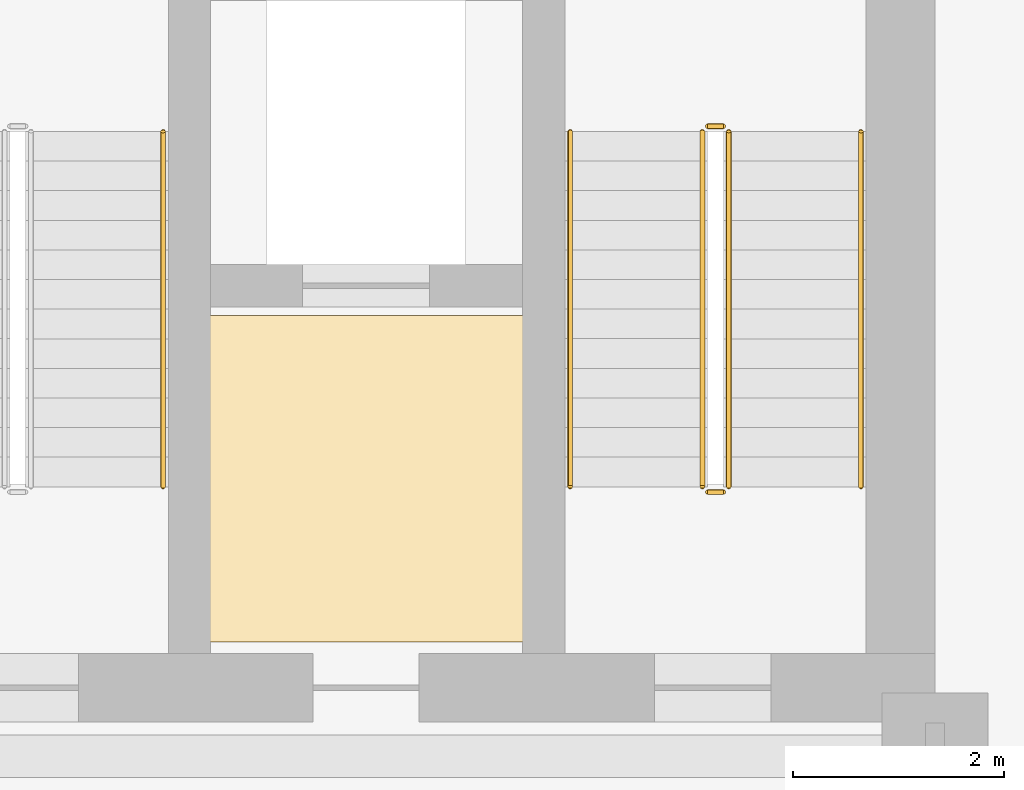
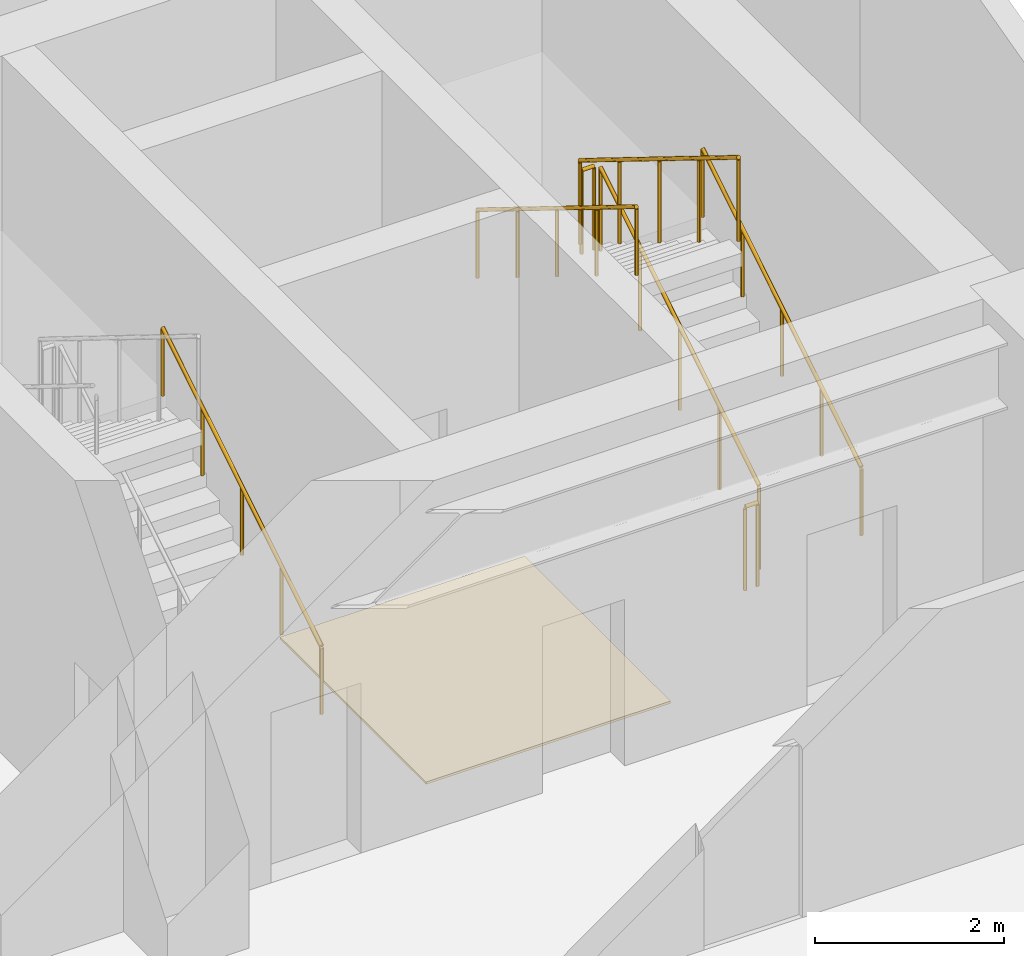
# One storey, part 8 of 8: 7 railings, 1 covering.
"""IFC4 building model written with IfcOpenShell, lengths in metres."""

from ifc_helpers import new_model, si_unit, direction, frame, origin, origin_2d, place, context, subcontext, project, spatial, polyline, circle, outline, extrude, material, layer, layer_set, type_object, element, save


model = new_model("IFC4")

# Units and contexts
model_context = context("Model", 3, precision=1e-05, world=origin(), true_north=direction((0.0, 1.0)))
body_context = subcontext(model_context, "Body", "Model", "MODEL_VIEW")
ifc_project = project(units=[si_unit("LENGTHUNIT", "METRE"), si_unit("AREAUNIT", "SQUARE_METRE"), si_unit("VOLUMEUNIT", "CUBIC_METRE"), si_unit("PLANEANGLEUNIT", "RADIAN"), si_unit("MASSUNIT", "GRAM", prefix="KILO")], contexts=[model_context])

# Site, building, storey
site_placement = place(None, origin())
site = spatial("IfcSite", under=ifc_project, at=site_placement, CompositionType="ELEMENT")
building_placement = place(site_placement, origin())
building = spatial("IfcBuilding", under=site, at=building_placement, Name="Kravanh Interchange Tower", CompositionType="ELEMENT")
storey_placement = place(building_placement, frame((0.0, 0.0, 156.0)))
storey = spatial("IfcBuildingStorey", under=building, at=storey_placement, Name="L37", CompositionType="ELEMENT", Elevation=156.0)

# Covering
ifc_material_1 = material(Name="Cementitious Terrazzo Tile")
ifc_layer_1 = layer(ifc_material_1, 0.030029296875)
ifc_layer_set_1 = layer_set([ifc_layer_1], Name="Honed Terrazzo Lobby Flooring 30mm")
covering_type = type_object("IfcCoveringType", Name="Honed Terrazzo Lobby Flooring 30mm", PredefinedType="FLOORING", material=ifc_layer_set_1)
covering_placement = place(storey_placement, origin())
element("IfcCovering", 1, at=covering_placement, inside=storey, type_object=covering_type, Name="L37 Service Lift Lobby Floor Finish", PredefinedType="FLOORING", context=body_context, shape_type="SweptSolid", body=[
    extrude(outline(polyline([(59.6298828125, 41.52001953125), (62.6201171875, 41.52001953125), (62.6201171875, 38.429931640625), (59.6298828125, 38.429931640625), (59.6298828125, 41.52001953125)])), origin(), (0.0, 0.0, 1.0), 0.030029296875),
])

# Railings
ifc_material_2 = material(Name="Structural Steel S355", Category="steel")
ifc_layer_2 = layer(ifc_material_2, 0.050048828125)
ifc_layer_set_2 = layer_set([ifc_layer_2], Name="Stair Well Guardrail Structural Steel S355 1100mm")
railing_type_1 = type_object("IfcRailingType", Name="Stair Well Guardrail Structural Steel S355 1100mm", PredefinedType="GUARDRAIL", material=ifc_layer_set_2)
railing_1_placement = place(storey_placement, frame((64.550048828125, 39.89990234375, 0.173095703125)))
element("IfcRailing", 2, at=railing_1_placement, inside=storey, type_object=railing_type_1, Name="L37 ST1 stair guard 1", PredefinedType="GUARDRAIL", context=body_context, shape_type="SweptSolid", body=[
    extrude(circle(Radius=0.02392578125, at=origin_2d()), frame((0.0, 0.0, 1.076171875), z_axis=(0.0, 0.850623216509, 0.525775754039), x_axis=(-1.0, 0.0, 0.0)), (0.0, 0.0, 1.0), 3.9501953125),
    extrude(circle(Radius=0.02099609375, at=origin_2d()), origin(), (0.0, 0.0, 1.0), 1.052001953125),
    extrude(circle(Radius=0.02099609375, at=origin_2d()), frame((0.0, 0.840087890625, 0.519287109375)), (0.0, 0.0, 1.0), 1.052001953125),
    extrude(circle(Radius=0.02099609375, at=origin_2d()), frame((0.0, 1.68017578125, 1.03857421875)), (0.0, 0.0, 1.0), 1.052001953125),
    extrude(circle(Radius=0.02099609375, at=origin_2d()), frame((0.0, 2.52001953125, 1.5576171875)), (0.0, 0.0, 1.0), 1.052001953125),
    extrude(circle(Radius=0.02099609375, at=origin_2d()), frame((0.0, 3.360107421875, 2.076904296875)), (0.0, 0.0, 1.0), 1.052001953125),
])
railing_2_placement = place(storey_placement, frame((64.5, 43.31005859375, 2.25)))
element("IfcRailing", 3, at=railing_2_placement, inside=storey, type_object=railing_type_1, Name="L37 ST1 stair guard 2", PredefinedType="GUARDRAIL", context=body_context, shape_type="SweptSolid", body=[
    extrude(circle(Radius=0.02392578125, at=origin_2d()), frame((0.0, 0.0, 1.076171875), z_axis=(-1.0, 0.0, 0.0), x_axis=(0.0, -1.0, 0.0)), (0.0, 0.0, 1.0), 0.14990234375),
    extrude(circle(Radius=0.02099609375, at=origin_2d()), origin(), (0.0, 0.0, 1.0), 1.052001953125),
    extrude(circle(Radius=0.02099609375, at=origin_2d()), frame((-0.14990234375, 0.0, 0.0)), (0.0, 0.0, 1.0), 1.052001953125),
])
railing_3_placement = place(storey_placement, frame((64.300048828125, 43.260009765625, 2.423095703125)))
element("IfcRailing", 4, at=railing_3_placement, inside=storey, type_object=railing_type_1, Name="L37 ST1 stair guard 3", PredefinedType="GUARDRAIL", context=body_context, shape_type="SweptSolid", body=[
    extrude(circle(Radius=0.02392578125, at=origin_2d()), frame((0.0, 0.0, 1.076171875), z_axis=(0.0, -0.850623216509, 0.525775754039), x_axis=(1.0, 0.0, 0.0)), (0.0, 0.0, 1.0), 3.9501953125),
    extrude(circle(Radius=0.02099609375, at=origin_2d()), origin(), (0.0, 0.0, 1.0), 1.052001953125),
    extrude(circle(Radius=0.02099609375, at=origin_2d()), frame((0.0, -0.840087890625, 0.519287109375)), (0.0, 0.0, 1.0), 1.052001953125),
    extrude(circle(Radius=0.02099609375, at=origin_2d()), frame((0.0, -1.68017578125, 1.03857421875)), (0.0, 0.0, 1.0), 1.052001953125),
    extrude(circle(Radius=0.02099609375, at=origin_2d()), frame((0.0, -2.52001953125, 1.5576171875)), (0.0, 0.0, 1.0), 1.052001953125),
    extrude(circle(Radius=0.02099609375, at=origin_2d()), frame((0.0, -3.360107421875, 2.076904296875)), (0.0, 0.0, 1.0), 1.052001953125),
])
railing_4_placement = place(storey_placement, frame((64.5, 39.85009765625, 0.0)))
element("IfcRailing", 5, at=railing_4_placement, inside=storey, type_object=railing_type_1, Name="L37 ST1 stair guard 4", PredefinedType="GUARDRAIL", context=body_context, shape_type="SweptSolid", body=[
    extrude(circle(Radius=0.02392578125, at=origin_2d()), frame((0.0, 0.0, 1.076171875), z_axis=(-1.0, 0.0, 0.0), x_axis=(0.0, -1.0, 0.0)), (0.0, 0.0, 1.0), 0.14990234375),
    extrude(circle(Radius=0.02099609375, at=origin_2d()), origin(), (0.0, 0.0, 1.0), 1.052001953125),
    extrude(circle(Radius=0.02099609375, at=origin_2d()), frame((-0.14990234375, 0.0, 0.0)), (0.0, 0.0, 1.0), 1.052001953125),
])
ifc_material_3 = material(Name="Stainless Steel 304", Category="steel")
ifc_layer_3 = layer(ifc_material_3, 0.044921875)
ifc_layer_set_3 = layer_set([ifc_layer_3], Name="Tubular Stair Handrail Stainless 304 900mm")
railing_type_2 = type_object("IfcRailingType", Name="Tubular Stair Handrail Stainless 304 900mm", PredefinedType="HANDRAIL", material=ifc_layer_set_3)
railing_5_placement = place(storey_placement, frame((65.800048828125, 39.89990234375, 0.173095703125)))
element("IfcRailing", 6, at=railing_5_placement, inside=storey, type_object=railing_type_2, Name="L37 ST1 stair handrail 1", PredefinedType="HANDRAIL", context=body_context, shape_type="SweptSolid", body=[
    extrude(circle(Radius=0.02392578125, at=origin_2d()), frame((0.0, 0.0, 0.8759765625), z_axis=(0.0, 0.850623216509, 0.525775754039), x_axis=(-1.0, 0.0, 0.0)), (0.0, 0.0, 1.0), 3.9501953125),
    extrude(circle(Radius=0.02099609375, at=origin_2d()), origin(), (0.0, 0.0, 1.0), 0.851806640625),
    extrude(circle(Radius=0.02099609375, at=origin_2d()), frame((0.0, 0.840087890625, 0.519287109375)), (0.0, 0.0, 1.0), 0.851806640625),
    extrude(circle(Radius=0.02099609375, at=origin_2d()), frame((0.0, 1.68017578125, 1.03857421875)), (0.0, 0.0, 1.0), 0.851806640625),
    extrude(circle(Radius=0.02099609375, at=origin_2d()), frame((0.0, 2.52001953125, 1.5576171875)), (0.0, 0.0, 1.0), 0.851806640625),
    extrude(circle(Radius=0.02099609375, at=origin_2d()), frame((0.0, 3.360107421875, 2.076904296875)), (0.0, 0.0, 1.0), 0.851806640625),
])
railing_6_placement = place(storey_placement, frame((63.050048828125, 43.260009765625, 2.423095703125)))
element("IfcRailing", 7, at=railing_6_placement, inside=storey, type_object=railing_type_2, Name="L37 ST1 stair handrail 2", PredefinedType="HANDRAIL", context=body_context, shape_type="SweptSolid", body=[
    extrude(circle(Radius=0.02392578125, at=origin_2d()), frame((0.0, 0.0, 0.8759765625), z_axis=(0.0, -0.850623216509, 0.525775754039), x_axis=(1.0, 0.0, 0.0)), (0.0, 0.0, 1.0), 3.9501953125),
    extrude(circle(Radius=0.02099609375, at=origin_2d()), origin(), (0.0, 0.0, 1.0), 0.851806640625),
    extrude(circle(Radius=0.02099609375, at=origin_2d()), frame((0.0, -0.840087890625, 0.519287109375)), (0.0, 0.0, 1.0), 0.851806640625),
    extrude(circle(Radius=0.02099609375, at=origin_2d()), frame((0.0, -1.68017578125, 1.03857421875)), (0.0, 0.0, 1.0), 0.851806640625),
    extrude(circle(Radius=0.02099609375, at=origin_2d()), frame((0.0, -2.52001953125, 1.5576171875)), (0.0, 0.0, 1.0), 0.851806640625),
    extrude(circle(Radius=0.02099609375, at=origin_2d()), frame((0.0, -3.360107421875, 2.076904296875)), (0.0, 0.0, 1.0), 0.851806640625),
])
railing_7_placement = place(storey_placement, frame((59.199951171875, 39.89990234375, 0.173095703125)))
element("IfcRailing", 8, at=railing_7_placement, inside=storey, type_object=railing_type_2, Name="L37 ST2 stair handrail 1", PredefinedType="HANDRAIL", context=body_context, shape_type="SweptSolid", body=[
    extrude(circle(Radius=0.02392578125, at=origin_2d()), frame((0.0, 0.0, 0.8759765625), z_axis=(0.0, 0.850623216509, 0.525775754039), x_axis=(-1.0, 0.0, 0.0)), (0.0, 0.0, 1.0), 3.9501953125),
    extrude(circle(Radius=0.02099609375, at=origin_2d()), origin(), (0.0, 0.0, 1.0), 0.851806640625),
    extrude(circle(Radius=0.02099609375, at=origin_2d()), frame((0.0, 0.840087890625, 0.519287109375)), (0.0, 0.0, 1.0), 0.851806640625),
    extrude(circle(Radius=0.02099609375, at=origin_2d()), frame((0.0, 1.68017578125, 1.03857421875)), (0.0, 0.0, 1.0), 0.851806640625),
    extrude(circle(Radius=0.02099609375, at=origin_2d()), frame((0.0, 2.52001953125, 1.5576171875)), (0.0, 0.0, 1.0), 0.851806640625),
    extrude(circle(Radius=0.02099609375, at=origin_2d()), frame((0.0, 3.360107421875, 2.076904296875)), (0.0, 0.0, 1.0), 0.851806640625),
])

save(model, "model.ifc")
